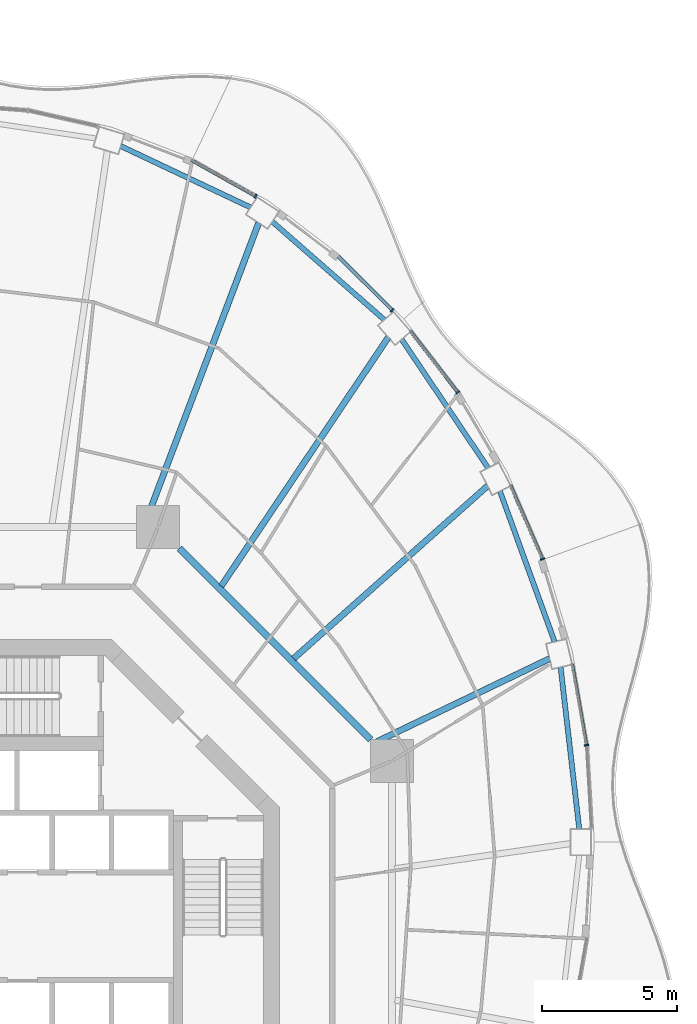
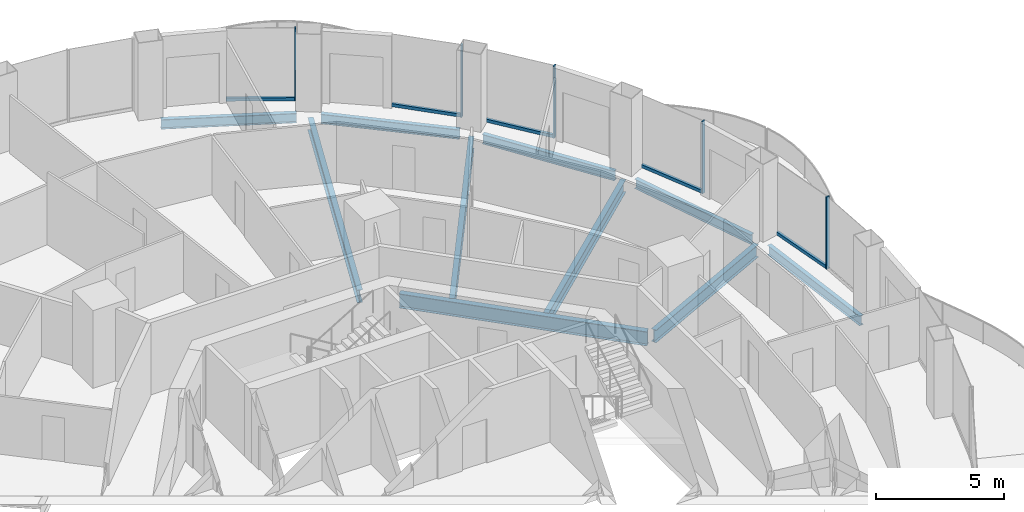
# One storey, part 7 of 18: 10 beams, 10 members, 5 elements without a shape of their own.
"""IFC4 building model written with IfcOpenShell, lengths in metres."""

from ifc_helpers import new_model, si_unit, direction, frame, origin, origin_2d, place, context, subcontext, project, spatial, rectangle, i_section, extrude, material, layer, layer_set, material_profile, profile_set, type_object, element, aggregate, save


model = new_model("IFC4")

# Units and contexts
model_context = context("Model", 3, precision=1e-05, world=origin(), true_north=direction((0.0, 1.0)))
body_context = subcontext(model_context, "Body", "Model", "MODEL_VIEW")
ifc_project = project(units=[si_unit("LENGTHUNIT", "METRE"), si_unit("AREAUNIT", "SQUARE_METRE"), si_unit("VOLUMEUNIT", "CUBIC_METRE"), si_unit("PLANEANGLEUNIT", "RADIAN"), si_unit("MASSUNIT", "GRAM", prefix="KILO")], contexts=[model_context])

# Site, building, storey
site_placement = place(None, origin())
site = spatial("IfcSite", under=ifc_project, at=site_placement, CompositionType="ELEMENT")
building_placement = place(site_placement, origin())
building = spatial("IfcBuilding", under=site, at=building_placement, Name="Nagisa Residences", CompositionType="ELEMENT")
storey_placement = place(building_placement, frame((0.0, 0.0, 227.0)))
storey = spatial("IfcBuildingStorey", under=building, at=storey_placement, Name="L57", CompositionType="ELEMENT", Elevation=227.0)

# Curtain wall, member
ifc_material_1 = material(Name="Concrete-coloured aluminium curtain wall system", Category="concrete")
ifc_layer = layer(ifc_material_1, 0.159912109375)
ifc_layer_set = layer_set([ifc_layer], Name="CW1 CURTAIN WALL")
curtain_wall_type = type_object("IfcCurtainWallType", Name="CW1 CURTAIN WALL", PredefinedType="NOTDEFINED", material=ifc_layer_set)
curtain_wall_1_placement = place(storey_placement, origin())
curtain_wall_1 = element("IfcCurtainWall", 1, at=curtain_wall_1_placement, inside=storey, type_object=curtain_wall_type, Name="cw:CW1:L57:01", PredefinedType="NOTDEFINED")
ifc_material_2 = material(Name="Concrete-coloured aluminium", Category="concrete")
ifc_material_profile_1 = material_profile(ifc_material_2, rectangle(XDim=0.159912109375, YDim=0.06005859375, at=origin_2d()), Name="CW1 MULLION 160x60")
ifc_profile_set_1 = profile_set([ifc_material_profile_1], Name="Concrete-coloured aluminium")
member_type_1 = type_object("IfcMemberType", Name="CW1 MULLION 160x60", PredefinedType="MULLION", material=ifc_profile_set_1)
member_1_placement = place(storey_placement, frame((21.980224609375, 6.70849609375, 0.0), z_axis=(0.0, 0.0, 1.0), x_axis=(-0.985063604377, -0.172190868898, 0.0)))
member_1 = element("IfcMember", 2, at=member_1_placement, type_object=member_type_1, Name="CW1 mullion", PredefinedType="MULLION", context=body_context, shape_type="SweptSolid", body=[
    extrude(rectangle(XDim=0.159912109375, YDim=0.06005859375, at=origin_2d()), origin(), (0.0, 0.0, 1.0), 3.43994140625),
])

curtain_wall_2_placement = place(storey_placement, origin())
curtain_wall_2 = element("IfcCurtainWall", 3, at=curtain_wall_2_placement, inside=storey, type_object=curtain_wall_type, Name="cw:CW1:L57:03", PredefinedType="NOTDEFINED")
member_2_placement = place(storey_placement, frame((20.3525390625, 13.59521484375, 0.0), z_axis=(0.0, 0.0, 1.0), x_axis=(-0.917543276295, -0.397635934147, 0.0)))
member_2 = element("IfcMember", 4, at=member_2_placement, type_object=member_type_1, Name="CW1 mullion", PredefinedType="MULLION", context=body_context, shape_type="SweptSolid", body=[
    extrude(rectangle(XDim=0.159912109375, YDim=0.06005859375, at=origin_2d()), origin(), (0.0, 0.0, 1.0), 3.43994140625),
])

curtain_wall_3_placement = place(storey_placement, origin())
curtain_wall_3 = element("IfcCurtainWall", 5, at=curtain_wall_3_placement, inside=storey, type_object=curtain_wall_type, Name="cw:CW1:L57:05", PredefinedType="NOTDEFINED")
member_3_placement = place(storey_placement, frame((17.21435546875, 19.7666015625, 0.0), z_axis=(0.0, 0.0, 1.0), x_axis=(-0.792070340816, -0.610429828235, 0.0)))
member_3 = element("IfcMember", 6, at=member_3_placement, type_object=member_type_1, Name="CW1 mullion", PredefinedType="MULLION", context=body_context, shape_type="SweptSolid", body=[
    extrude(rectangle(XDim=0.159912109375, YDim=0.06005859375, at=origin_2d()), origin(), (0.0, 0.0, 1.0), 3.43994140625),
])

curtain_wall_4_placement = place(storey_placement, origin())
curtain_wall_4 = element("IfcCurtainWall", 7, at=curtain_wall_4_placement, inside=storey, type_object=curtain_wall_type, Name="cw:CW1:L57:06", PredefinedType="NOTDEFINED")
member_4_placement = place(storey_placement, frame((14.788330078125, 22.802978515625, 0.0), z_axis=(0.0, 0.0, 1.0), x_axis=(-0.706376885714, -0.707835924016, 0.0)))
member_4 = element("IfcMember", 8, at=member_4_placement, type_object=member_type_1, Name="CW1 mullion", PredefinedType="MULLION", context=body_context, shape_type="SweptSolid", body=[
    extrude(rectangle(XDim=0.159912109375, YDim=0.06005859375, at=origin_2d()), origin(), (0.0, 0.0, 1.0), 3.43994140625),
])

curtain_wall_5_placement = place(storey_placement, origin())
curtain_wall_5 = element("IfcCurtainWall", 9, at=curtain_wall_5_placement, inside=storey, type_object=curtain_wall_type, Name="cw:CW1:L57:08", PredefinedType="NOTDEFINED")
member_5_placement = place(storey_placement, frame((9.733642578125, 27.02783203125, 0.0), z_axis=(0.0, 0.0, 1.0), x_axis=(-0.489376918501, -0.872072377523, 0.0)))
member_5 = element("IfcMember", 10, at=member_5_placement, type_object=member_type_1, Name="CW1 mullion", PredefinedType="MULLION", context=body_context, shape_type="SweptSolid", body=[
    extrude(rectangle(XDim=0.159912109375, YDim=0.06005859375, at=origin_2d()), origin(), (0.0, 0.0, 1.0), 3.43994140625),
])

# Member
ifc_material_3 = material(Name="Concrete-coloured aluminium", Category="concrete")
ifc_material_profile_2 = material_profile(ifc_material_3, rectangle(XDim=0.1201171875, YDim=0.14990234375, at=origin_2d()), Name="CW1 TRANSOM 120x150")
ifc_profile_set_2 = profile_set([ifc_material_profile_2], Name="Concrete-coloured aluminium")
member_type_2 = type_object("IfcMemberType", Name="CW1 TRANSOM 120x150", PredefinedType="USERDEFINED", material=ifc_profile_set_2)
member_6_placement = place(storey_placement, frame((21.9853515625, 6.678955078125, 0.074951171875), z_axis=(-0.172241318156, 0.985054784426, 0.0), x_axis=(-0.985054784426, -0.172241318156, 0.0)))
member_6 = element("IfcMember", 11, at=member_6_placement, type_object=member_type_2, Name="CW1 transom", ObjectType="TRANSOM", PredefinedType="USERDEFINED", context=body_context, shape_type="SweptSolid", body=[
    extrude(rectangle(XDim=0.1201171875, YDim=0.14990234375, at=origin_2d()), origin(), (0.0, 0.0, 1.0), 3.0673828125),
])

aggregate(curtain_wall_1, [member_1, member_6])

member_7_placement = place(storey_placement, frame((20.3642578125, 13.567626953125, 0.074951171875), z_axis=(-0.397616567135, 0.917551669139, 0.0), x_axis=(-0.917551669139, -0.397616567135, 0.0)))
member_7 = element("IfcMember", 12, at=member_7_placement, type_object=member_type_2, Name="CW1 transom", ObjectType="TRANSOM", PredefinedType="USERDEFINED", context=body_context, shape_type="SweptSolid", body=[
    extrude(rectangle(XDim=0.1201171875, YDim=0.14990234375, at=origin_2d()), origin(), (0.0, 0.0, 1.0), 3.001953125),
])

aggregate(curtain_wall_2, [member_2, member_7])

member_8_placement = place(storey_placement, frame((17.232666015625, 19.742919921875, 0.074951171875), z_axis=(-0.610438565676, 0.792063607001, 0.0), x_axis=(-0.792063607001, -0.610438565676, 0.0)))
member_8 = element("IfcMember", 13, at=member_8_placement, type_object=member_type_2, Name="CW1 transom", ObjectType="TRANSOM", PredefinedType="USERDEFINED", context=body_context, shape_type="SweptSolid", body=[
    extrude(rectangle(XDim=0.1201171875, YDim=0.14990234375, at=origin_2d()), origin(), (0.0, 0.0, 1.0), 2.90087890625),
])

aggregate(curtain_wall_3, [member_3, member_8])

member_9_placement = place(storey_placement, frame((14.8095703125, 22.781982421875, 0.074951171875), z_axis=(-0.707836044127, 0.706376765356, 0.0), x_axis=(-0.706376765356, -0.707836044127, 0.0)))
member_9 = element("IfcMember", 14, at=member_9_placement, type_object=member_type_2, Name="CW1 transom", ObjectType="TRANSOM", PredefinedType="USERDEFINED", context=body_context, shape_type="SweptSolid", body=[
    extrude(rectangle(XDim=0.1201171875, YDim=0.14990234375, at=origin_2d()), origin(), (0.0, 0.0, 1.0), 2.84423828125),
])

aggregate(curtain_wall_4, [member_4, member_9])

member_10_placement = place(storey_placement, frame((9.759765625, 27.012939453125, 0.074951171875), z_axis=(-0.872041873719, 0.489431272479, 0.0), x_axis=(-0.489431272479, -0.872041873719, 0.0)))
member_10 = element("IfcMember", 15, at=member_10_placement, type_object=member_type_2, Name="CW1 transom", ObjectType="TRANSOM", PredefinedType="USERDEFINED", context=body_context, shape_type="SweptSolid", body=[
    extrude(rectangle(XDim=0.1201171875, YDim=0.14990234375, at=origin_2d()), origin(), (0.0, 0.0, 1.0), 2.738037109375),
])

aggregate(curtain_wall_5, [member_5, member_10])

# Beams
ifc_material_4 = material(Name="Steel ASTM A572 Gr 50", Category="steel")
ifc_material_profile_3 = material_profile(ifc_material_4, i_section(OverallWidth=0.2529296875, OverallDepth=0.677978515625, WebThickness=0.01171875, FlangeThickness=0.016357421875, at=origin_2d()), Name="W690x125")
ifc_profile_set_3 = profile_set([ifc_material_profile_3], Name="Steel ASTM A572 Gr 50")
beam_type_1 = type_object("IfcBeamType", Name="Inner ring beam W690x125", PredefinedType="BEAM", material=ifc_profile_set_3)
beam_1_placement = place(storey_placement, frame((13.99609375, 6.90869140625, -0.59912109375), z_axis=(-0.707106781187, 0.707106781187, 0.0), x_axis=(-0.707106781187, -0.707106781187, 0.0)))
element("IfcBeam", 16, at=beam_1_placement, inside=storey, type_object=beam_type_1, Name="beam:L57:ib1", PredefinedType="BEAM", context=body_context, shape_type="SweptSolid", body=[
    extrude(i_section(OverallWidth=0.2529296875, OverallDepth=0.677978515625, WebThickness=0.01171875, FlangeThickness=0.016357421875, at=origin_2d()), origin(), (0.0, 0.0, 1.0), 10.023193359375),
])
ifc_material_5 = material(Name="Steel ASTM A572 Gr 50", Category="steel")
ifc_material_profile_4 = material_profile(ifc_material_5, i_section(OverallWidth=0.18994140625, OverallDepth=0.45703125, WebThickness=0.009033203125, FlangeThickness=0.014404296875, at=origin_2d()), Name="W460x74")
ifc_profile_set_4 = profile_set([ifc_material_profile_4], Name="Steel ASTM A572 Gr 50")
beam_type_2 = type_object("IfcBeamType", Name="Perimeter ring beam W460x74", PredefinedType="BEAM", material=ifc_profile_set_4)
beam_2_placement = place(storey_placement, frame((21.714599609375, 3.597900390625, -0.488525390625), z_axis=(-0.114650193512, 0.993405925656, 0.0), x_axis=(-0.993405925656, -0.114650193512, 0.0)))
element("IfcBeam", 17, at=beam_2_placement, inside=storey, type_object=beam_type_2, Name="beam:L57:pb01", PredefinedType="BEAM", context=body_context, shape_type="SweptSolid", body=[
    extrude(i_section(OverallWidth=0.18994140625, OverallDepth=0.45703125, WebThickness=0.009033203125, FlangeThickness=0.014404296875, at=origin_2d()), origin(), (0.0, 0.0, 1.0), 6.0390625),
])
beam_3_placement = place(storey_placement, frame((20.802001953125, 10.53173828125, -0.488525390625), z_axis=(-0.34127712749, 0.939962723863, 0.0), x_axis=(-0.939962723863, -0.34127712749, 0.0)))
element("IfcBeam", 18, at=beam_3_placement, inside=storey, type_object=beam_type_2, Name="beam:L57:pb02", PredefinedType="BEAM", context=body_context, shape_type="SweptSolid", body=[
    extrude(i_section(OverallWidth=0.18994140625, OverallDepth=0.45703125, WebThickness=0.009033203125, FlangeThickness=0.014404296875, at=origin_2d()), origin(), (0.0, 0.0, 1.0), 5.9326171875),
])
beam_4_placement = place(storey_placement, frame((18.34228515625, 16.964111328125, -0.488525390625), z_axis=(-0.558109119402, 0.829767564345, 0.0), x_axis=(-0.829767564345, -0.558109119402, 0.0)))
element("IfcBeam", 19, at=beam_4_placement, inside=storey, type_object=beam_type_2, Name="beam:L57:pb03", PredefinedType="BEAM", context=body_context, shape_type="SweptSolid", body=[
    extrude(i_section(OverallWidth=0.18994140625, OverallDepth=0.45703125, WebThickness=0.009033203125, FlangeThickness=0.014404296875, at=origin_2d()), origin(), (0.0, 0.0, 1.0), 5.74365234375),
])
beam_5_placement = place(storey_placement, frame((14.502197265625, 22.45068359375, -0.488525390625), z_axis=(-0.75242320672, 0.65867998147, 0.0), x_axis=(-0.65867998147, -0.75242320672, 0.0)))
element("IfcBeam", 20, at=beam_5_placement, inside=storey, type_object=beam_type_2, Name="beam:L57:pb04", PredefinedType="BEAM", context=body_context, shape_type="SweptSolid", body=[
    extrude(i_section(OverallWidth=0.18994140625, OverallDepth=0.45703125, WebThickness=0.009033203125, FlangeThickness=0.014404296875, at=origin_2d()), origin(), (0.0, 0.0, 1.0), 5.5185546875),
])
beam_6_placement = place(storey_placement, frame((9.546630859375, 26.6123046875, -0.488525390625), z_axis=(-0.904133867308, 0.42724928319, 0.0), x_axis=(-0.42724928319, -0.904133867308, 0.0)))
element("IfcBeam", 21, at=beam_6_placement, inside=storey, type_object=beam_type_2, Name="beam:L57:pb05", PredefinedType="BEAM", context=body_context, shape_type="SweptSolid", body=[
    extrude(i_section(OverallWidth=0.18994140625, OverallDepth=0.45703125, WebThickness=0.009033203125, FlangeThickness=0.014404296875, at=origin_2d()), origin(), (0.0, 0.0, 1.0), 5.317138671875),
])
ifc_material_6 = material(Name="Steel ASTM A572 Gr 50", Category="steel")
ifc_material_profile_5 = material_profile(ifc_material_6, i_section(OverallWidth=0.22802734375, OverallDepth=0.60302734375, WebThickness=0.010498046875, FlangeThickness=0.014892578125, at=origin_2d()), Name="W610x101")
ifc_profile_set_5 = profile_set([ifc_material_profile_5], Name="Steel ASTM A572 Gr 50")
beam_type_3 = type_object("IfcBeamType", Name="Radial beam W610x101", PredefinedType="BEAM", material=ifc_profile_set_5)
beam_7_placement = place(storey_placement, frame((20.61572265625, 9.90869140625, -0.5615234375), z_axis=(-0.901297388138, -0.433200898124, 0.0), x_axis=(0.433200898124, -0.901297388138, 0.0)))
element("IfcBeam", 22, at=beam_7_placement, inside=storey, type_object=beam_type_3, Name="beam:L57:rb02", PredefinedType="BEAM", context=body_context, shape_type="SweptSolid", body=[
    extrude(i_section(OverallWidth=0.22802734375, OverallDepth=0.60302734375, WebThickness=0.010498046875, FlangeThickness=0.014892578125, at=origin_2d()), origin(), (0.0, 0.0, 1.0), 7.09423828125),
])
beam_8_placement = place(storey_placement, frame((18.318115234375, 16.301025390625, -0.5615234375), z_axis=(-0.747027831774, -0.664792763615, 0.0), x_axis=(0.664792763615, -0.747027831774, 0.0)))
element("IfcBeam", 23, at=beam_8_placement, inside=storey, type_object=beam_type_3, Name="beam:L57:rb03", PredefinedType="BEAM", context=body_context, shape_type="SweptSolid", body=[
    extrude(i_section(OverallWidth=0.22802734375, OverallDepth=0.60302734375, WebThickness=0.010498046875, FlangeThickness=0.014892578125, at=origin_2d()), origin(), (0.0, 0.0, 1.0), 9.607177734375),
])
beam_9_placement = place(storey_placement, frame((14.64697265625, 21.804931640625, -0.5615234375), z_axis=(-0.557606656779, -0.830105304354, 0.0), x_axis=(0.830105304354, -0.557606656779, 0.0)))
element("IfcBeam", 24, at=beam_9_placement, inside=storey, type_object=beam_type_3, Name="beam:L57:rb04", PredefinedType="BEAM", context=body_context, shape_type="SweptSolid", body=[
    extrude(i_section(OverallWidth=0.22802734375, OverallDepth=0.60302734375, WebThickness=0.010498046875, FlangeThickness=0.014892578125, at=origin_2d()), origin(), (0.0, 0.0, 1.0), 11.09423828125),
])
beam_10_placement = place(storey_placement, frame((9.84716796875, 26.04052734375, -0.5615234375), z_axis=(-0.353700839295, -0.935358603041, 0.0), x_axis=(0.935358603041, -0.353700839295, 0.0)))
element("IfcBeam", 25, at=beam_10_placement, inside=storey, type_object=beam_type_3, Name="beam:L57:rb05", PredefinedType="BEAM", context=body_context, shape_type="SweptSolid", body=[
    extrude(i_section(OverallWidth=0.22802734375, OverallDepth=0.60302734375, WebThickness=0.010498046875, FlangeThickness=0.014892578125, at=origin_2d()), origin(), (0.0, 0.0, 1.0), 11.921142578125),
])

save(model, "model.ifc")
